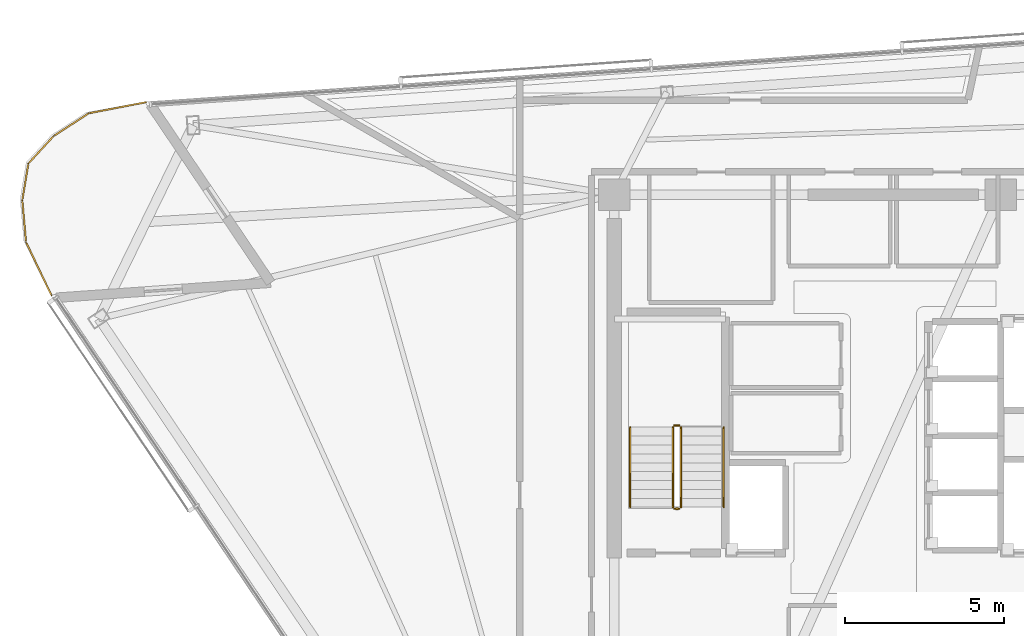
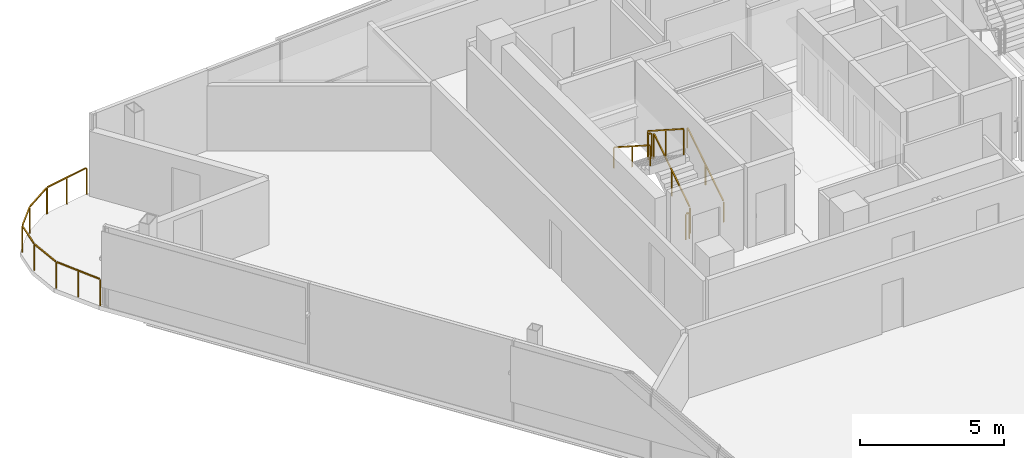
# One storey, part 14 of 16: 7 railings.
"""IFC4 building model written with IfcOpenShell, lengths in metres."""

from ifc_helpers import new_model, si_unit, direction, frame, origin, origin_2d, place, context, subcontext, project, spatial, rectangle, extrude, material, type_object, element, save


model = new_model("IFC4")

# Units and contexts
model_context = context("Model", 3, precision=1e-05, world=origin(), true_north=direction((0.0, 1.0)))
body_context = subcontext(model_context, "Body", "Model", "MODEL_VIEW")
ifc_project = project(units=[si_unit("LENGTHUNIT", "METRE"), si_unit("AREAUNIT", "SQUARE_METRE"), si_unit("VOLUMEUNIT", "CUBIC_METRE"), si_unit("PLANEANGLEUNIT", "RADIAN"), si_unit("MASSUNIT", "GRAM", prefix="KILO")], contexts=[model_context])

# Site, building, storey
site_placement = place(None, origin())
site = spatial("IfcSite", under=ifc_project, at=site_placement, CompositionType="ELEMENT")
building_placement = place(site_placement, origin())
building = spatial("IfcBuilding", under=site, at=building_placement, Name="Tharavind Bronze Gate", CompositionType="ELEMENT")
storey_placement = place(building_placement, frame((0.0, 0.0, 271.39990234375)))
storey = spatial("IfcBuildingStorey", under=building, at=storey_placement, Name="L70", CompositionType="ELEMENT", Elevation=271.39990234375)

# Railings
ifc_material_1 = material(Name="Brushed Bronze Alloy", Category="metal")
railing_type_1 = type_object("IfcRailingType", Name="STAIR BRONZE HANDRAIL 900", PredefinedType="HANDRAIL", material=ifc_material_1)
railing_1_placement = place(storey_placement, frame((-5.449951171875, -2.25, 0.18017578125)))
element("IfcRailing", 1, at=railing_1_placement, inside=storey, type_object=railing_type_1, Name="L70 ST1 stair handrail 1", PredefinedType="HANDRAIL", context=body_context, shape_type="SweptSolid", body=[
    extrude(rectangle(XDim=0.048095703125, YDim=0.048095703125, at=origin_2d()), frame((0.0, 0.02685546875, 0.89306640625), z_axis=(0.0, 0.841199657755, 0.540724639528), x_axis=(-1.0, 0.0, 0.0)), (0.0, 0.0, 1.0), 2.931640625),
    extrude(rectangle(XDim=0.0400390625, YDim=0.0400390625, at=origin_2d()), origin(), (0.0, 0.0, 1.0), 0.847900390625),
    extrude(rectangle(XDim=0.0400390625, YDim=0.0400390625, at=origin_2d()), frame((0.0, 1.260009765625, 0.81005859375)), (0.0, 0.0, 1.0), 0.847900390625),
    extrude(rectangle(XDim=0.0400390625, YDim=0.0400390625, at=origin_2d()), frame((0.0, 2.52001953125, 1.619873046875)), (0.0, 0.0, 1.0), 0.847900390625),
])
railing_2_placement = place(storey_placement, frame((-8.39990234375, 0.27001953125, 1.97998046875)))
element("IfcRailing", 2, at=railing_2_placement, inside=storey, type_object=railing_type_1, Name="L70 ST1 stair handrail 2", PredefinedType="HANDRAIL", context=body_context, shape_type="SweptSolid", body=[
    extrude(rectangle(XDim=0.048095703125, YDim=0.048095703125, at=origin_2d()), frame((0.0, -0.02685546875, 0.89306640625), z_axis=(0.0, -0.841162588446, 0.540782303519), x_axis=(1.0, 0.0, 0.0)), (0.0, 0.0, 1.0), 2.931884765625),
    extrude(rectangle(XDim=0.0400390625, YDim=0.0400390625, at=origin_2d()), origin(), (0.0, 0.0, 1.0), 0.847900390625),
    extrude(rectangle(XDim=0.0400390625, YDim=0.0400390625, at=origin_2d()), frame((0.0, -1.260009765625, 0.81005859375)), (0.0, 0.0, 1.0), 0.847900390625),
    extrude(rectangle(XDim=0.0400390625, YDim=0.0400390625, at=origin_2d()), frame((0.0, -2.52001953125, 1.6201171875)), (0.0, 0.0, 1.0), 0.847900390625),
])
railing_type_2 = type_object("IfcRailingType", Name="STAIR WELL GUARD RAILING 1120", PredefinedType="GUARDRAIL", material=ifc_material_1)
railing_3_placement = place(storey_placement, frame((-6.800048828125, -2.25, 0.18017578125)))
element("IfcRailing", 3, at=railing_3_placement, inside=storey, type_object=railing_type_2, Name="L70 ST1 stair guard 1", PredefinedType="GUARDRAIL", context=body_context, shape_type="SweptSolid", body=[
    extrude(rectangle(XDim=0.048095703125, YDim=0.048095703125, at=origin_2d()), frame((0.0, 0.02685546875, 1.11328125), z_axis=(0.0, 0.841199657755, 0.540724639528), x_axis=(-1.0, 0.0, 0.0)), (0.0, 0.0, 1.0), 2.931640625),
    extrude(rectangle(XDim=0.0400390625, YDim=0.0400390625, at=origin_2d()), origin(), (0.0, 0.0, 1.0), 1.068115234375),
    extrude(rectangle(XDim=0.0400390625, YDim=0.0400390625, at=origin_2d()), frame((0.0, 1.260009765625, 0.81005859375)), (0.0, 0.0, 1.0), 1.068115234375),
    extrude(rectangle(XDim=0.0400390625, YDim=0.0400390625, at=origin_2d()), frame((0.0, 2.52001953125, 1.619873046875)), (0.0, 0.0, 1.0), 1.068115234375),
])
railing_4_placement = place(storey_placement, frame((-6.85009765625, 0.320068359375, 1.800048828125)))
element("IfcRailing", 4, at=railing_4_placement, inside=storey, type_object=railing_type_2, Name="L70 ST1 stair guard 2", PredefinedType="GUARDRAIL", context=body_context, shape_type="SweptSolid", body=[
    extrude(rectangle(XDim=0.048095703125, YDim=0.048095703125, at=origin_2d()), frame((-0.031982421875, 0.0, 1.09619140625), z_axis=(-1.0, 0.0, 0.0), x_axis=(0.0, -1.0, 0.0)), (0.0, 0.0, 1.0), 0.0859375),
    extrude(rectangle(XDim=0.0400390625, YDim=0.0400390625, at=origin_2d()), origin(), (0.0, 0.0, 1.0), 1.068115234375),
    extrude(rectangle(XDim=0.0400390625, YDim=0.0400390625, at=origin_2d()), frame((-0.14990234375, 0.0, 0.0)), (0.0, 0.0, 1.0), 1.068115234375),
])
railing_5_placement = place(storey_placement, frame((-7.050048828125, 0.27001953125, 1.97998046875)))
element("IfcRailing", 5, at=railing_5_placement, inside=storey, type_object=railing_type_2, Name="L70 ST1 stair guard 3", PredefinedType="GUARDRAIL", context=body_context, shape_type="SweptSolid", body=[
    extrude(rectangle(XDim=0.048095703125, YDim=0.048095703125, at=origin_2d()), frame((0.0, -0.02685546875, 1.11328125), z_axis=(0.0, -0.841162588446, 0.540782303519), x_axis=(1.0, 0.0, 0.0)), (0.0, 0.0, 1.0), 2.931884765625),
    extrude(rectangle(XDim=0.0400390625, YDim=0.0400390625, at=origin_2d()), origin(), (0.0, 0.0, 1.0), 1.068115234375),
    extrude(rectangle(XDim=0.0400390625, YDim=0.0400390625, at=origin_2d()), frame((0.0, -1.260009765625, 0.81005859375)), (0.0, 0.0, 1.0), 1.068115234375),
    extrude(rectangle(XDim=0.0400390625, YDim=0.0400390625, at=origin_2d()), frame((0.0, -2.52001953125, 1.6201171875)), (0.0, 0.0, 1.0), 1.068115234375),
])
railing_6_placement = place(storey_placement, frame((-6.85009765625, -2.300048828125, 0.0)))
element("IfcRailing", 6, at=railing_6_placement, inside=storey, type_object=railing_type_2, Name="L70 ST1 stair guard 4", PredefinedType="GUARDRAIL", context=body_context, shape_type="SweptSolid", body=[
    extrude(rectangle(XDim=0.048095703125, YDim=0.048095703125, at=origin_2d()), frame((-0.031982421875, 0.0, 1.09619140625), z_axis=(-1.0, 0.0, 0.0), x_axis=(0.0, -1.0, 0.0)), (0.0, 0.0, 1.0), 0.0859375),
    extrude(rectangle(XDim=0.0400390625, YDim=0.0400390625, at=origin_2d()), origin(), (0.0, 0.0, 1.0), 1.068115234375),
    extrude(rectangle(XDim=0.0400390625, YDim=0.0400390625, at=origin_2d()), frame((-0.14990234375, 0.0, 0.0)), (0.0, 0.0, 1.0), 1.068115234375),
])
ifc_material_2 = material(Name="Bronze Cap & Laminated Glass", Category="glass")
railing_type_3 = type_object("IfcRailingType", Name="TERRACE GLASS GUARD RAILING 1150", PredefinedType="GUARDRAIL", material=ifc_material_2)
railing_7_placement = place(storey_placement, frame((-26.641845703125, 4.42236328125, 0.0)))
element("IfcRailing", 7, at=railing_7_placement, inside=storey, type_object=railing_type_3, Name="L70 tree balcony guard railing", PredefinedType="GUARDRAIL", context=body_context, shape_type="SweptSolid", body=[
    extrude(rectangle(XDim=0.048095703125, YDim=0.048095703125, at=origin_2d()), frame((-0.013671875, 0.02880859375, 1.1259765625), z_axis=(-0.430751391527, 0.902470630379, 0.0), x_axis=(-0.902470630379, -0.430751391527, 0.0)), (0.0, 0.0, 1.0), 1.80126953125),
    extrude(rectangle(XDim=0.048095703125, YDim=0.048095703125, at=origin_2d()), frame((-0.806396484375, 1.71533203125, 1.1259765625), z_axis=(-0.089334965903, 0.996001638486, 0.0), x_axis=(-0.996001638486, -0.089334965903, 0.0)), (0.0, 0.0, 1.0), 1.255859375),
    extrude(rectangle(XDim=0.048095703125, YDim=0.048095703125, at=origin_2d()), frame((-0.916259765625, 3.029541015625, 1.1259765625), z_axis=(0.162720183317, 0.986672256599, 0.0), x_axis=(-0.986672256599, 0.162720183317, 0.0)), (0.0, 0.0, 1.0), 1.115234375),
    extrude(rectangle(XDim=0.048095703125, YDim=0.048095703125, at=origin_2d()), frame((-0.707763671875, 4.18505859375, 1.1259765625), z_axis=(0.677316588689, 0.735691673656, 0.0), x_axis=(-0.735691673656, 0.677316588689, 0.0)), (0.0, 0.0, 1.0), 1.115478515625),
    extrude(rectangle(XDim=0.048095703125, YDim=0.048095703125, at=origin_2d()), frame((0.09619140625, 5.046630859375, 1.1259765625), z_axis=(0.839847920102, 0.542821767342, 0.0), x_axis=(-0.542821767342, 0.839847920102, 0.0)), (0.0, 0.0, 1.0), 1.256103515625),
    extrude(rectangle(XDim=0.048095703125, YDim=0.048095703125, at=origin_2d()), frame((1.20947265625, 5.751953125, 1.1259765625), z_axis=(0.98171467538, 0.190358336157, 0.0), x_axis=(-0.190358336157, 0.98171467538, 0.0)), (0.0, 0.0, 1.0), 1.763671875),
    extrude(rectangle(XDim=0.0400390625, YDim=0.0400390625, at=origin_2d()), origin(), (0.0, 0.0, 1.0), 1.097900390625),
    extrude(rectangle(XDim=0.0400390625, YDim=0.0400390625, at=origin_2d()), frame((-0.40185546875, 0.841796875, 0.0)), (0.0, 0.0, 1.0), 1.097900390625),
    extrude(rectangle(XDim=0.0400390625, YDim=0.0400390625, at=origin_2d()), frame((-0.803466796875, 1.683349609375, 0.0)), (0.0, 0.0, 1.0), 1.097900390625),
    extrude(rectangle(XDim=0.0400390625, YDim=0.0400390625, at=origin_2d()), frame((-0.92138671875, 2.998046875, 0.0)), (0.0, 0.0, 1.0), 1.097900390625),
    extrude(rectangle(XDim=0.0400390625, YDim=0.0400390625, at=origin_2d()), frame((-0.7294921875, 4.16162109375, 0.0)), (0.0, 0.0, 1.0), 1.097900390625),
    extrude(rectangle(XDim=0.0400390625, YDim=0.0400390625, at=origin_2d()), frame((0.0693359375, 5.029296875, 0.0)), (0.0, 0.0, 1.0), 1.097900390625),
    extrude(rectangle(XDim=0.0400390625, YDim=0.0400390625, at=origin_2d()), frame((1.177978515625, 5.745849609375, 0.0)), (0.0, 0.0, 1.0), 1.097900390625),
    extrude(rectangle(XDim=0.0400390625, YDim=0.0400390625, at=origin_2d()), frame((2.0751953125, 5.919921875, 0.0)), (0.0, 0.0, 1.0), 1.097900390625),
    extrude(rectangle(XDim=0.0400390625, YDim=0.0400390625, at=origin_2d()), frame((2.97216796875, 6.09375, 0.0)), (0.0, 0.0, 1.0), 1.097900390625),
])

save(model, "model.ifc")
